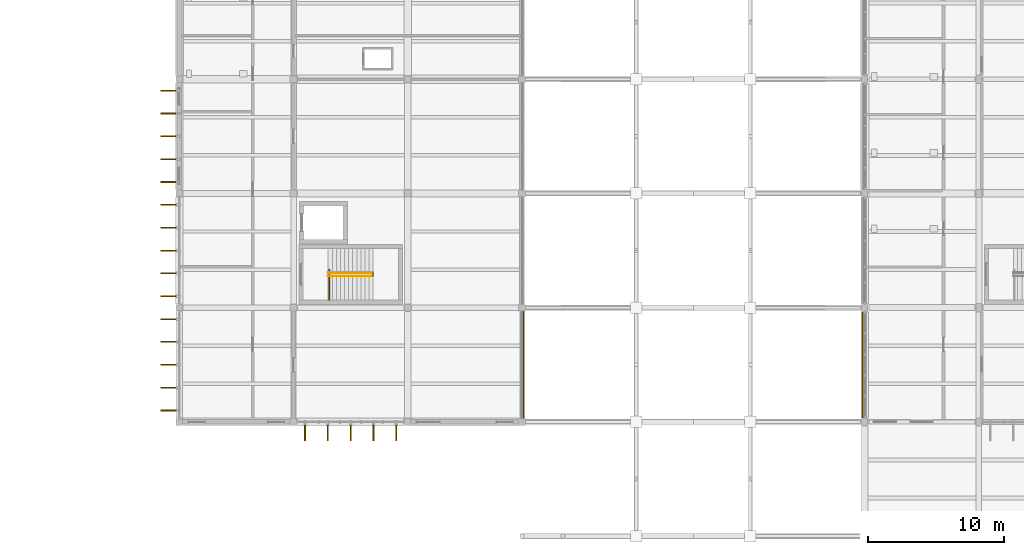
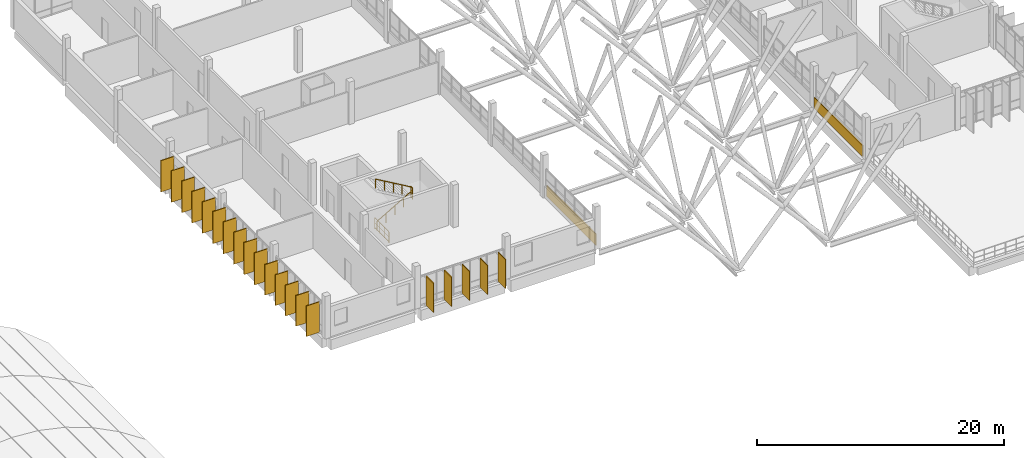
# One storey, part 103 of 107: 20 shading devices, 4 railings, 2 coverings.
"""IFC4 building model written with IfcOpenShell, lengths in metres."""

from ifc_helpers import new_model, si_unit, direction, frame, origin, origin_2d, place, context, subcontext, project, spatial, rectangle, circle, extrude, material, layer, layer_set, material_profile, profile_set, type_object, element, save


model = new_model("IFC4")

# Units and contexts
model_context = context("Model", 3, precision=1e-05, world=origin(), true_north=direction((0.0, 1.0)))
body_context = subcontext(model_context, "Body", "Model", "MODEL_VIEW")
ifc_project = project(units=[si_unit("LENGTHUNIT", "METRE"), si_unit("AREAUNIT", "SQUARE_METRE"), si_unit("VOLUMEUNIT", "CUBIC_METRE"), si_unit("PLANEANGLEUNIT", "RADIAN"), si_unit("MASSUNIT", "GRAM", prefix="KILO")], contexts=[model_context])

# Site, building, storey
site_placement = place(None, origin())
site = spatial("IfcSite", under=ifc_project, at=site_placement, CompositionType="ELEMENT")
building_placement = place(site_placement, origin())
building = spatial("IfcBuilding", under=site, at=building_placement, Name="Vireocrest Preparatory School", CompositionType="ELEMENT")
storey_placement = place(building_placement, frame((0.0, 0.0, 13.199951171875)))
storey = spatial("IfcBuildingStorey", under=building, at=storey_placement, Name="L03", CompositionType="ELEMENT", Elevation=13.199951171875)

# Railings
ifc_material_1 = material(Name="Brushed stainless steel AISI 316", Category="steel")
railing_type_1 = type_object("IfcRailingType", Name="Post-and-Rail Guard Balustrade 1120", PredefinedType="BALUSTRADE", material=ifc_material_1)
railing_1_placement = place(storey_placement, frame((53.02490234375, 44.35009765625, 0.0)))
element("IfcRailing", 1, at=railing_1_placement, inside=storey, type_object=railing_type_1, Name="Arrival Landing Guard ST1-L02", PredefinedType="BALUSTRADE", context=body_context, shape_type="SweptSolid", body=[
    extrude(circle(Radius=0.02392578125, at=origin_2d()), frame((0.0, 0.0, 1.09619140625), z_axis=(0.0, 1.0, 0.0), x_axis=(-1.0, 0.0, 0.0)), (0.0, 0.0, 1.0), 2.27001953125),
    extrude(circle(Radius=0.01806640625, at=origin_2d()), frame((0.0, 0.0, 0.56005859375), z_axis=(0.0, 1.0, 0.0), x_axis=(-1.0, 0.0, 0.0)), (0.0, 0.0, 1.0), 2.27001953125),
    extrude(circle(Radius=0.01806640625, at=origin_2d()), frame((0.0, 0.0, 0.10009765625), z_axis=(0.0, 1.0, 0.0), x_axis=(-1.0, 0.0, 0.0)), (0.0, 0.0, 1.0), 2.27001953125),
    extrude(circle(Radius=0.02099609375, at=origin_2d()), origin(), (0.0, 0.0, 1.0), 1.072021484375),
    extrude(circle(Radius=0.02099609375, at=origin_2d()), frame((0.0, 0.756591796875, 0.0)), (0.0, 0.0, 1.0), 1.072021484375),
    extrude(circle(Radius=0.02099609375, at=origin_2d()), frame((0.0, 1.513427734375, 0.0)), (0.0, 0.0, 1.0), 1.072021484375),
    extrude(circle(Radius=0.02099609375, at=origin_2d()), frame((0.0, 2.27001953125, 0.0)), (0.0, 0.0, 1.0), 1.072021484375),
])
railing_2_placement = place(storey_placement, frame((56.22998046875, 46.1298828125, 2.10009765625)))
element("IfcRailing", 2, at=railing_2_placement, inside=storey, type_object=railing_type_1, Name="Half-Landing Well Guard ST1-L03", PredefinedType="BALUSTRADE", context=body_context, shape_type="SweptSolid", body=[
    extrude(circle(Radius=0.02392578125, at=origin_2d()), frame((0.0, 0.0, 1.09619140625), z_axis=(0.0, 1.0, 0.0), x_axis=(-1.0, 0.0, 0.0)), (0.0, 0.0, 1.0), 0.240234375),
    extrude(circle(Radius=0.01806640625, at=origin_2d()), frame((0.0, 0.0, 0.56005859375), z_axis=(0.0, 1.0, 0.0), x_axis=(-1.0, 0.0, 0.0)), (0.0, 0.0, 1.0), 0.240234375),
    extrude(circle(Radius=0.01806640625, at=origin_2d()), frame((0.0, 0.0, 0.10009765625), z_axis=(0.0, 1.0, 0.0), x_axis=(-1.0, 0.0, 0.0)), (0.0, 0.0, 1.0), 0.240234375),
    extrude(circle(Radius=0.02099609375, at=origin_2d()), origin(), (0.0, 0.0, 1.0), 1.072021484375),
    extrude(circle(Radius=0.02099609375, at=origin_2d()), frame((0.0, 0.240234375, 0.0)), (0.0, 0.0, 1.0), 1.072021484375),
])
railing_type_2 = type_object("IfcRailingType", Name="Stair Pitch Handrail 900", PredefinedType="HANDRAIL", material=ifc_material_1)
railing_3_placement = place(storey_placement, frame((52.949951171875, 46.1298828125, 0.175048828125)))
element("IfcRailing", 3, at=railing_3_placement, inside=storey, type_object=railing_type_2, Name="Stair Handrail ST1-L03-HR1", PredefinedType="HANDRAIL", context=body_context, shape_type="SweptSolid", body=[
    extrude(circle(Radius=0.02392578125, at=origin_2d()), frame((0.0, 0.0, 0.8759765625), z_axis=(0.863776583165, 0.0, 0.503874998761), x_axis=(0.0, 1.0, 0.0)), (0.0, 0.0, 1.0), 3.820556640625),
    extrude(circle(Radius=0.02099609375, at=origin_2d()), origin(), (0.0, 0.0, 1.0), 0.851806640625),
    extrude(circle(Radius=0.02099609375, at=origin_2d()), frame((0.824951171875, 0.0, 0.481201171875)), (0.0, 0.0, 1.0), 0.851806640625),
    extrude(circle(Radius=0.02099609375, at=origin_2d()), frame((1.64990234375, 0.0, 0.96240234375)), (0.0, 0.0, 1.0), 0.851806640625),
    extrude(circle(Radius=0.02099609375, at=origin_2d()), frame((2.47509765625, 0.0, 1.44384765625)), (0.0, 0.0, 1.0), 0.851806640625),
    extrude(circle(Radius=0.02099609375, at=origin_2d()), frame((3.300048828125, 0.0, 1.925048828125)), (0.0, 0.0, 1.0), 0.851806640625),
])
railing_4_placement = place(storey_placement, frame((56.25, 46.3701171875, 2.275146484375)))
element("IfcRailing", 4, at=railing_4_placement, inside=storey, type_object=railing_type_2, Name="Stair Handrail ST1-L03-HR2", PredefinedType="HANDRAIL", context=body_context, shape_type="SweptSolid", body=[
    extrude(circle(Radius=0.02392578125, at=origin_2d()), frame((0.0, 0.0, 0.8759765625), z_axis=(-0.863804395585, 0.0, 0.503827317807), x_axis=(0.0, -1.0, 0.0)), (0.0, 0.0, 1.0), 3.8203125),
    extrude(circle(Radius=0.02099609375, at=origin_2d()), origin(), (0.0, 0.0, 1.0), 0.851806640625),
    extrude(circle(Radius=0.02099609375, at=origin_2d()), frame((-0.824951171875, 0.0, 0.481201171875)), (0.0, 0.0, 1.0), 0.851806640625),
    extrude(circle(Radius=0.02099609375, at=origin_2d()), frame((-1.64990234375, 0.0, 0.96240234375)), (0.0, 0.0, 1.0), 0.851806640625),
    extrude(circle(Radius=0.02099609375, at=origin_2d()), frame((-2.47509765625, 0.0, 1.443603515625)), (0.0, 0.0, 1.0), 0.851806640625),
    extrude(circle(Radius=0.02099609375, at=origin_2d()), frame((-3.300048828125, 0.0, 1.9248046875)), (0.0, 0.0, 1.0), 0.851806640625),
])

# Shading devices
ifc_material_2 = material(Name="Warm anodised aluminium EN AW-6063-T6", Category="aluminium")
ifc_material_profile = material_profile(ifc_material_2, rectangle(XDim=0.080078125, YDim=1.199951171875, at=origin_2d()), Name="FIN 80x1200")
ifc_profile_set = profile_set([ifc_material_profile], Name="Warm anodised aluminium EN AW-6063-T6")
shading_device_type = type_object("IfcShadingDeviceType", Name="Vertical Anodised Aluminium Solar Fin 1200", PredefinedType="USERDEFINED", material=ifc_profile_set)
for number, where, z_axis, x_axis, name in (
    (5, (41.219970703125, 36.239990234375, 0.02001953125), (0.0, 0.0, 1.0), (0.0, 1.0, 0.0), "Vertical Solar Fin FN1 L03-36-1"),
    (6, (41.219970703125, 37.919921875, 0.02001953125), (0.0, 0.0, 1.0), (0.0, 1.0, 0.0), "Vertical Solar Fin FN1 L03-36-2"),
    (7, (41.219970703125, 39.60009765625, 0.02001953125), (0.0, 0.0, 1.0), (0.0, 1.0, 0.0), "Vertical Solar Fin FN1 L03-36-3"),
    (8, (41.219970703125, 41.280029296875, 0.02001953125), (0.0, 0.0, 1.0), (0.0, 1.0, 0.0), "Vertical Solar Fin FN1 L03-36-4"),
    (9, (41.219970703125, 42.9599609375, 0.02001953125), (0.0, 0.0, 1.0), (0.0, 1.0, 0.0), "Vertical Solar Fin FN1 L03-36-5"),
):
    element("IfcShadingDevice", number, at=place(storey_placement, frame(where, z_axis=z_axis, x_axis=x_axis)), inside=storey, type_object=shading_device_type, Name=name, ObjectType="FIN", PredefinedType="USERDEFINED", context=body_context, shape_type="SweptSolid", body=[
        extrude(rectangle(XDim=0.080078125, YDim=1.199951171875, at=origin_2d()), origin(), (0.0, 0.0, 1.0), 3.02001953125),
    ])
for number, where, z_axis, x_axis, name in (
    (10, (41.219970703125, 44.639892578125, 0.02001953125), (0.0, 0.0, 1.0), (0.0, 1.0, 0.0), "Vertical Solar Fin FN1 L03-37-1"),
    (11, (41.219970703125, 46.320068359375, 0.02001953125), (0.0, 0.0, 1.0), (0.0, 1.0, 0.0), "Vertical Solar Fin FN1 L03-37-2"),
    (12, (41.219970703125, 48.0, 0.02001953125), (0.0, 0.0, 1.0), (0.0, 1.0, 0.0), "Vertical Solar Fin FN1 L03-37-3"),
    (13, (41.219970703125, 49.679931640625, 0.02001953125), (0.0, 0.0, 1.0), (0.0, 1.0, 0.0), "Vertical Solar Fin FN1 L03-37-4"),
    (14, (41.219970703125, 51.360107421875, 0.02001953125), (0.0, 0.0, 1.0), (0.0, 1.0, 0.0), "Vertical Solar Fin FN1 L03-37-5"),
):
    element("IfcShadingDevice", number, at=place(storey_placement, frame(where, z_axis=z_axis, x_axis=x_axis)), inside=storey, type_object=shading_device_type, Name=name, ObjectType="FIN", PredefinedType="USERDEFINED", context=body_context, shape_type="SweptSolid", body=[
        extrude(rectangle(XDim=0.080078125, YDim=1.199951171875, at=origin_2d()), origin(), (0.0, 0.0, 1.0), 3.150146484375),
    ])
for number, where, z_axis, x_axis, name in (
    (15, (41.219970703125, 53.0400390625, 0.02001953125), (0.0, 0.0, 1.0), (0.0, 1.0, 0.0), "Vertical Solar Fin FN1 L03-38-1"),
    (16, (41.219970703125, 54.719970703125, 0.02001953125), (0.0, 0.0, 1.0), (0.0, 1.0, 0.0), "Vertical Solar Fin FN1 L03-38-2"),
    (17, (41.219970703125, 56.39990234375, 0.02001953125), (0.0, 0.0, 1.0), (0.0, 1.0, 0.0), "Vertical Solar Fin FN1 L03-38-3"),
    (18, (41.219970703125, 58.080078125, 0.02001953125), (0.0, 0.0, 1.0), (0.0, 1.0, 0.0), "Vertical Solar Fin FN1 L03-38-4"),
    (19, (41.219970703125, 59.760009765625, 0.02001953125), (0.0, 0.0, 1.0), (0.0, 1.0, 0.0), "Vertical Solar Fin FN1 L03-38-5"),
):
    element("IfcShadingDevice", number, at=place(storey_placement, frame(where, z_axis=z_axis, x_axis=x_axis)), inside=storey, type_object=shading_device_type, Name=name, ObjectType="FIN", PredefinedType="USERDEFINED", context=body_context, shape_type="SweptSolid", body=[
        extrude(rectangle(XDim=0.080078125, YDim=1.199951171875, at=origin_2d()), origin(), (0.0, 0.0, 1.0), 3.10009765625),
    ])
for number, where, z_axis, x_axis, name in (
    (20, (51.239990234375, 34.6201171875, 0.02001953125), (0.0, 0.0, 1.0), (-1.0, 0.0, 0.0), "Vertical Solar Fin FN1 L03-39-1"),
    (21, (52.919921875, 34.6201171875, 0.02001953125), (0.0, 0.0, 1.0), (-1.0, 0.0, 0.0), "Vertical Solar Fin FN1 L03-39-2"),
    (22, (54.60009765625, 34.6201171875, 0.02001953125), (0.0, 0.0, 1.0), (-1.0, 0.0, 0.0), "Vertical Solar Fin FN1 L03-39-3"),
    (23, (56.280029296875, 34.6201171875, 0.02001953125), (0.0, 0.0, 1.0), (-1.0, 0.0, 0.0), "Vertical Solar Fin FN1 L03-39-4"),
    (24, (57.9599609375, 34.6201171875, 0.02001953125), (0.0, 0.0, 1.0), (-1.0, 0.0, 0.0), "Vertical Solar Fin FN1 L03-39-5"),
):
    element("IfcShadingDevice", number, at=place(storey_placement, frame(where, z_axis=z_axis, x_axis=x_axis)), inside=storey, type_object=shading_device_type, Name=name, ObjectType="FIN", PredefinedType="USERDEFINED", context=body_context, shape_type="SweptSolid", body=[
        extrude(rectangle(XDim=0.080078125, YDim=1.199951171875, at=origin_2d()), origin(), (0.0, 0.0, 1.0), 2.8701171875),
    ])

# Coverings
ifc_material_3 = material(Name="Painted white aluminium cladding EN AW-6063-T6", Category="aluminium")
ifc_layer = layer(ifc_material_3, 0.044921875)
ifc_layer_set = layer_set([ifc_layer], Name="Painted white aluminium cladding EN AW-6063-T6")
covering_type = type_object("IfcCoveringType", Name="White High-Tech Horizontal Spandrel Cladding Band", PredefinedType="CLADDING", material=ifc_layer_set)
covering_1_placement = place(storey_placement, frame((67.3349609375, 39.60009765625, 0.030029296875), z_axis=(0.0, 0.0, 1.0), x_axis=(1.0, 0.0, 0.0)))
element("IfcCovering", 25, at=covering_1_placement, inside=storey, type_object=covering_type, Name="White Court Spandrel Band L03-0310", PredefinedType="CLADDING", context=body_context, shape_type="SweptSolid", body=[
    extrude(rectangle(XDim=0.0849609375, YDim=7.949951171875, at=origin_2d()), origin(), (0.0, 0.0, 1.0), 1.10009765625),
])
covering_2_placement = place(storey_placement, frame((92.264892578125, 39.60009765625, 0.030029296875), z_axis=(0.0, 0.0, 1.0), x_axis=(1.0, 0.0, 0.0)))
element("IfcCovering", 26, at=covering_2_placement, inside=storey, type_object=covering_type, Name="White Court Spandrel Band L03-0341", PredefinedType="CLADDING", context=body_context, shape_type="SweptSolid", body=[
    extrude(rectangle(XDim=0.0849609375, YDim=7.85009765625, at=origin_2d()), origin(), (0.0, 0.0, 1.0), 1.10009765625),
])

save(model, "model.ifc")
